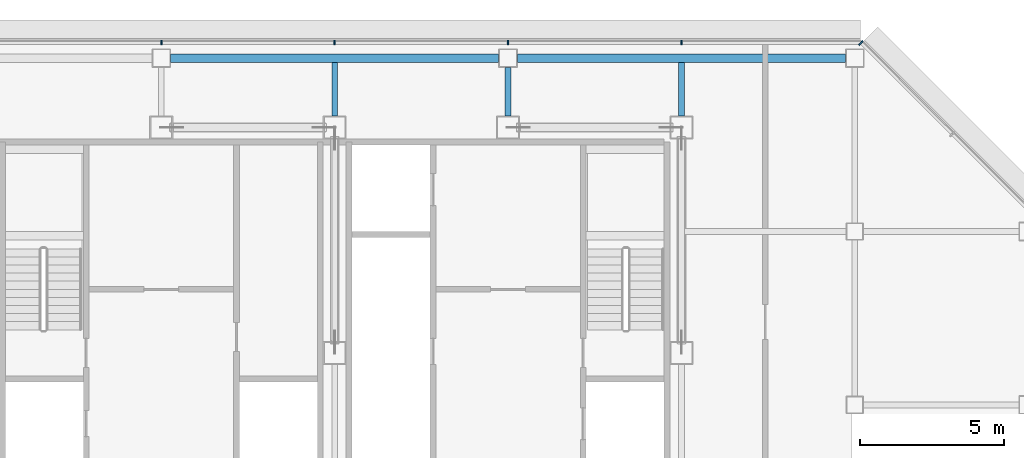
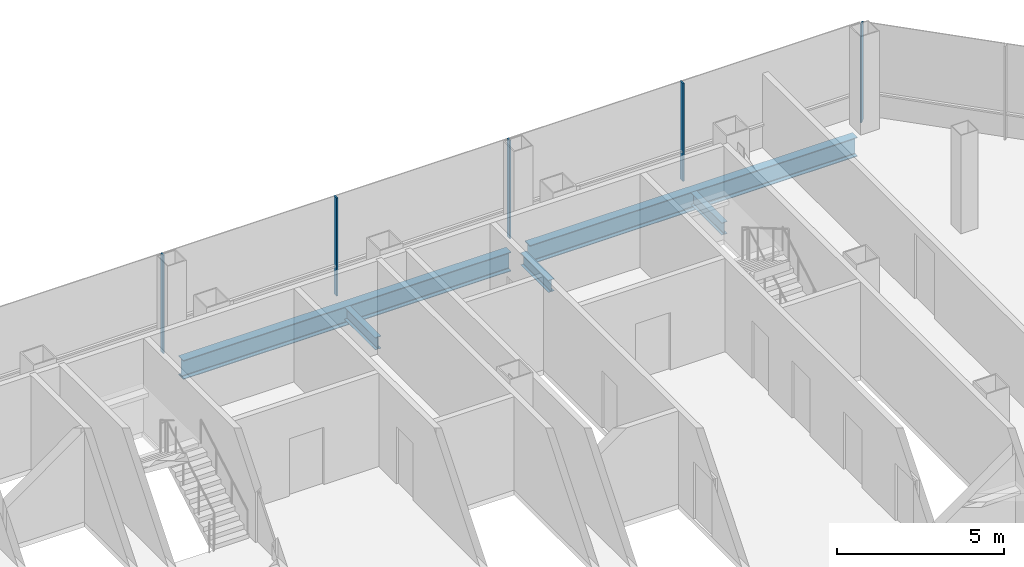
# One storey, part 15 of 26: 5 beams, 5 members, 2 elements without a shape of their own.
"""IFC4 building model written with IfcOpenShell, lengths in metres."""

from ifc_helpers import new_model, si_unit, direction, frame, origin, origin_2d, place, context, subcontext, project, spatial, rectangle, i_section, extrude, material, material_profile, profile_set, type_object, element, aggregate, save


model = new_model("IFC4")

# Units and contexts
model_context = context("Model", 3, precision=1e-05, world=origin(), true_north=direction((0.0, 1.0)))
body_context = subcontext(model_context, "Body", "Model", "MODEL_VIEW")
ifc_project = project(units=[si_unit("LENGTHUNIT", "METRE"), si_unit("AREAUNIT", "SQUARE_METRE"), si_unit("VOLUMEUNIT", "CUBIC_METRE"), si_unit("PLANEANGLEUNIT", "RADIAN"), si_unit("MASSUNIT", "GRAM", prefix="KILO")], contexts=[model_context])

# Site, building, storey
site_placement = place(None, origin())
site = spatial("IfcSite", under=ifc_project, at=site_placement, CompositionType="ELEMENT")
building_placement = place(site_placement, origin())
building = spatial("IfcBuilding", under=site, at=building_placement, Name="Sorahane Residences", CompositionType="ELEMENT")
storey_placement = place(building_placement, frame((0.0, 0.0, 243.199951171875)))
storey = spatial("IfcBuildingStorey", under=building, at=storey_placement, Name="L57", CompositionType="ELEMENT", Elevation=243.199951171875)

# Curtain wall, members
ifc_material_1 = material(Name="Dark low-e glass and black anodised aluminium", Category="aluminium")
curtain_wall_type_1 = type_object("IfcCurtainWallType", Name="Curtain wall CW-1 Typical unitised wall", PredefinedType="NOTDEFINED", material=ifc_material_1)
curtain_wall_1_placement = place(storey_placement, origin())
curtain_wall_1 = element("IfcCurtainWall", 1, at=curtain_wall_1_placement, inside=storey, type_object=curtain_wall_type_1, Name="CW-1 curtain wall L57 N1", PredefinedType="NOTDEFINED")
ifc_material_2 = material(Name="Black anodised aluminium", Category="aluminium")
ifc_material_profile_1 = material_profile(ifc_material_2, rectangle(XDim=0.159912109375, YDim=0.050048828125, at=origin_2d()), Name="Curtain wall mullion CW-1 black anodised aluminium 50x160")
ifc_profile_set_1 = profile_set([ifc_material_profile_1], Name="Black anodised aluminium")
member_type_1 = type_object("IfcMemberType", Name="Curtain wall mullion CW-1 black anodised aluminium 50x160", PredefinedType="MULLION", material=ifc_profile_set_1)
member_1_placement = place(storey_placement, frame((42.0, 48.5400390625, -0.179931640625), z_axis=(0.0, 0.0, 1.0), x_axis=(0.0, 1.0, 0.0)))
member_1 = element("IfcMember", 2, at=member_1_placement, type_object=member_type_1, Name="CW-1 mullion L57 N1.2", PredefinedType="MULLION", context=body_context, shape_type="SweptSolid", body=[
    extrude(rectangle(XDim=0.159912109375, YDim=0.050048828125, at=origin_2d()), origin(), (0.0, 0.0, 1.0), 3.60009765625),
])
member_2_placement = place(storey_placement, frame((36.0, 48.5400390625, -0.179931640625), z_axis=(0.0, 0.0, 1.0), x_axis=(0.0, 1.0, 0.0)))
member_2 = element("IfcMember", 3, at=member_2_placement, type_object=member_type_1, Name="CW-1 mullion L57 N1.3", PredefinedType="MULLION", context=body_context, shape_type="SweptSolid", body=[
    extrude(rectangle(XDim=0.159912109375, YDim=0.050048828125, at=origin_2d()), origin(), (0.0, 0.0, 1.0), 3.60009765625),
])
member_3_placement = place(storey_placement, frame((30.0, 48.5400390625, -0.179931640625), z_axis=(0.0, 0.0, 1.0), x_axis=(0.0, 1.0, 0.0)))
member_3 = element("IfcMember", 4, at=member_3_placement, type_object=member_type_1, Name="CW-1 mullion L57 N1.4", PredefinedType="MULLION", context=body_context, shape_type="SweptSolid", body=[
    extrude(rectangle(XDim=0.159912109375, YDim=0.050048828125, at=origin_2d()), origin(), (0.0, 0.0, 1.0), 3.60009765625),
])
member_4_placement = place(storey_placement, frame((24.0, 48.5400390625, -0.179931640625), z_axis=(0.0, 0.0, 1.0), x_axis=(0.0, 1.0, 0.0)))
member_4 = element("IfcMember", 5, at=member_4_placement, type_object=member_type_1, Name="CW-1 mullion L57 N1.5", PredefinedType="MULLION", context=body_context, shape_type="SweptSolid", body=[
    extrude(rectangle(XDim=0.159912109375, YDim=0.050048828125, at=origin_2d()), origin(), (0.0, 0.0, 1.0), 3.60009765625),
])
aggregate(curtain_wall_1, [member_1, member_2, member_3, member_4])

# Curtain wall, member
ifc_material_3 = material(Name="Dark low-e glass and black anodised aluminium", Category="aluminium")
curtain_wall_type_2 = type_object("IfcCurtainWallType", Name="Curtain wall CW-2 Chamfer unitised wall", PredefinedType="NOTDEFINED", material=ifc_material_3)
curtain_wall_2_placement = place(storey_placement, origin())
curtain_wall_2 = element("IfcCurtainWall", 6, at=curtain_wall_2_placement, inside=storey, type_object=curtain_wall_type_2, Name="CW-2 curtain wall L57 NE1", PredefinedType="NOTDEFINED")
ifc_material_4 = material(Name="Black anodised aluminium", Category="aluminium")
ifc_material_profile_2 = material_profile(ifc_material_4, rectangle(XDim=0.199951171875, YDim=0.050048828125, at=origin_2d()), Name="Curtain wall mullion CW-2 black anodised aluminium 50x200")
ifc_profile_set_2 = profile_set([ifc_material_profile_2], Name="Black anodised aluminium")
member_type_2 = type_object("IfcMemberType", Name="Curtain wall mullion CW-2 black anodised aluminium 50x200", PredefinedType="MULLION", material=ifc_profile_set_2)
member_5_placement = place(storey_placement, frame((48.209716796875, 48.525634765625, -0.179931640625), z_axis=(0.0, 0.0, 1.0), x_axis=(0.707106781187, 0.707106781187, 0.0)))
member_5 = element("IfcMember", 7, at=member_5_placement, type_object=member_type_2, Name="CW-2 mullion L57 NE1.3", PredefinedType="MULLION", context=body_context, shape_type="SweptSolid", body=[
    extrude(rectangle(XDim=0.199951171875, YDim=0.050048828125, at=origin_2d()), origin(), (0.0, 0.0, 1.0), 3.60009765625),
])
aggregate(curtain_wall_2, [member_5])

# Beams
ifc_material_5 = material(Name="Steel Q355B", Category="steel")
ifc_material_profile_3 = material_profile(ifc_material_5, i_section(OverallWidth=0.199951171875, OverallDepth=0.449951171875, WebThickness=0.009033203125, FlangeThickness=0.013916015625, FilletRadius=0.02001953125, at=origin_2d()), Name="HN 450x200x9x14")
ifc_profile_set_3 = profile_set([ifc_material_profile_3], Name="Steel Q355B")
beam_type_1 = type_object("IfcBeamType", Name="Steel floor beam HN 450x200x9x14 Q355B", PredefinedType="BEAM", material=ifc_profile_set_3)
beam_1_placement = place(storey_placement, frame((30.0, 46.0, -0.405029296875), z_axis=(0.0, 1.0, 0.0), x_axis=(-1.0, 0.0, 0.0)))
element("IfcBeam", 8, at=beam_1_placement, inside=storey, type_object=beam_type_1, Name="Beam L57 049", PredefinedType="BEAM", context=body_context, shape_type="SweptSolid", body=[
    extrude(i_section(OverallWidth=0.199951171875, OverallDepth=0.449951171875, WebThickness=0.009033203125, FlangeThickness=0.013916015625, FilletRadius=0.02001953125, at=origin_2d()), origin(), (0.0, 0.0, 1.0), 1.85009765625),
])
beam_2_placement = place(storey_placement, frame((36.0, 46.0, -0.405029296875), z_axis=(0.0, 1.0, 0.0), x_axis=(-1.0, 0.0, 0.0)))
element("IfcBeam", 9, at=beam_2_placement, inside=storey, type_object=beam_type_1, Name="Beam L57 051", PredefinedType="BEAM", context=body_context, shape_type="SweptSolid", body=[
    extrude(i_section(OverallWidth=0.199951171875, OverallDepth=0.449951171875, WebThickness=0.009033203125, FlangeThickness=0.013916015625, FilletRadius=0.02001953125, at=origin_2d()), origin(), (0.0, 0.0, 1.0), 1.675048828125),
])
beam_3_placement = place(storey_placement, frame((42.0, 46.0, -0.405029296875), z_axis=(0.0, 1.0, 0.0), x_axis=(-1.0, 0.0, 0.0)))
element("IfcBeam", 10, at=beam_3_placement, inside=storey, type_object=beam_type_1, Name="Beam L57 057", PredefinedType="BEAM", context=body_context, shape_type="SweptSolid", body=[
    extrude(i_section(OverallWidth=0.199951171875, OverallDepth=0.449951171875, WebThickness=0.009033203125, FlangeThickness=0.013916015625, FilletRadius=0.02001953125, at=origin_2d()), origin(), (0.0, 0.0, 1.0), 1.85009765625),
])
ifc_material_6 = material(Name="Steel Q355B", Category="steel")
ifc_material_profile_4 = material_profile(ifc_material_6, i_section(OverallWidth=0.300048828125, OverallDepth=0.699951171875, WebThickness=0.012939453125, FlangeThickness=0.02392578125, FilletRadius=0.028076171875, at=origin_2d()), Name="HN 700x300x13x24")
ifc_profile_set_4 = profile_set([ifc_material_profile_4], Name="Steel Q355B")
beam_type_2 = type_object("IfcBeamType", Name="Steel floor beam HN 700x300x13x24 Q355B", PredefinedType="BEAM", material=ifc_profile_set_4)
for number, where, z_axis, x_axis, name in (
    (11, (24.324951171875, 48.0, -0.530029296875), (1.0, 0.0, 0.0), (0.0, 1.0, 0.0), "Beam L57 018"),
    (12, (36.324951171875, 48.0, -0.530029296875), (1.0, 0.0, 0.0), (0.0, 1.0, 0.0), "Beam L57 019"),
):
    element("IfcBeam", number, at=place(storey_placement, frame(where, z_axis=z_axis, x_axis=x_axis)), inside=storey, type_object=beam_type_2, Name=name, PredefinedType="BEAM", context=body_context, shape_type="SweptSolid", body=[
        extrude(i_section(OverallWidth=0.300048828125, OverallDepth=0.699951171875, WebThickness=0.012939453125, FlangeThickness=0.02392578125, FilletRadius=0.028076171875, at=origin_2d()), origin(), (0.0, 0.0, 1.0), 11.35009765625),
    ])

save(model, "model.ifc")
